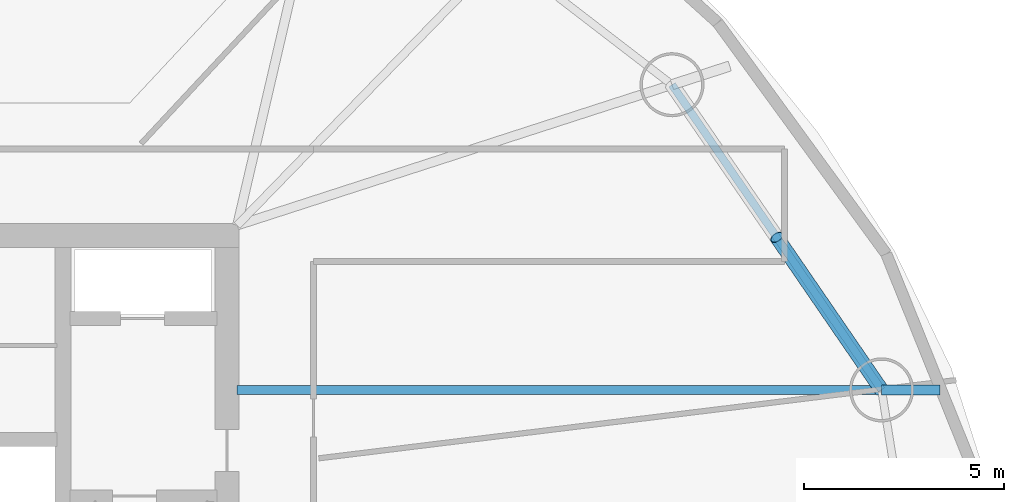
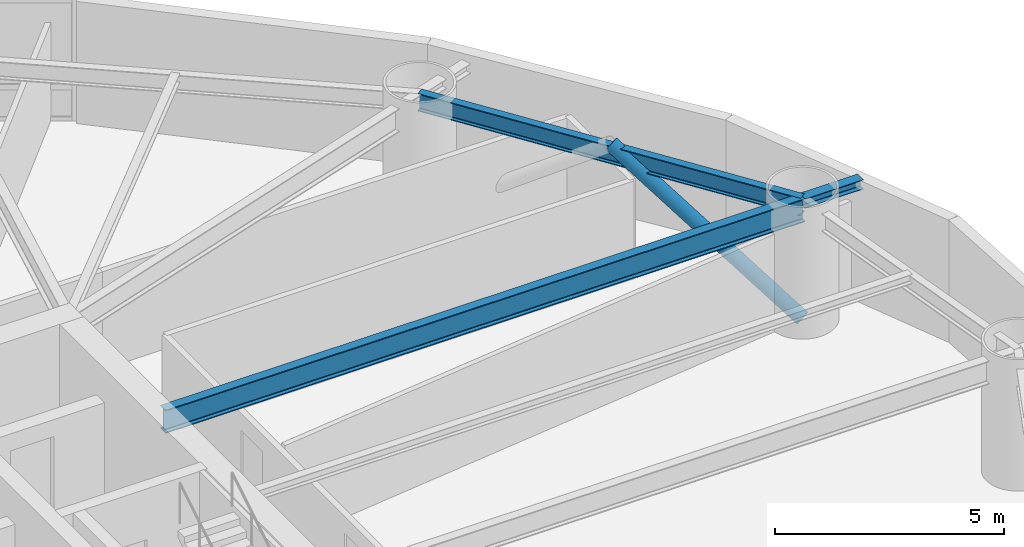
# One storey, part 10 of 23: 3 beams, 1 member.
"""IFC4 building model written with IfcOpenShell, lengths in metres."""

from ifc_helpers import new_model, si_unit, direction, frame, origin, origin_2d, place, context, subcontext, project, spatial, hollow_circle, i_section, extrude, material, material_profile, profile_set, type_object, element, save


model = new_model("IFC4")

# Units and contexts
model_context = context("Model", 3, precision=1e-05, world=origin(), true_north=direction((0.0, 1.0)))
body_context = subcontext(model_context, "Body", "Model", "MODEL_VIEW")
ifc_project = project(units=[si_unit("LENGTHUNIT", "METRE"), si_unit("AREAUNIT", "SQUARE_METRE"), si_unit("VOLUMEUNIT", "CUBIC_METRE"), si_unit("PLANEANGLEUNIT", "RADIAN"), si_unit("MASSUNIT", "GRAM", prefix="KILO")], contexts=[model_context])

# Site, building, storey
site_placement = place(None, origin())
site = spatial("IfcSite", under=ifc_project, at=site_placement, CompositionType="ELEMENT")
building_placement = place(site_placement, origin())
building = spatial("IfcBuilding", under=site, at=building_placement, Name="Bramvorn Convention Spire", CompositionType="ELEMENT")
storey_placement = place(building_placement, frame((0.0, 0.0, 69.39990234375)))
storey = spatial("IfcBuildingStorey", under=building, at=storey_placement, Name="L15", CompositionType="ELEMENT", Elevation=69.39990234375)

# Beams
ifc_material = material(Name="Steel CSA G40.21 Grade 350 (350W)", Category="steel")
ifc_material_profile_1 = material_profile(ifc_material, i_section(OverallWidth=0.25390625, OverallDepth=0.2529296875, WebThickness=0.008544921875, FlangeThickness=0.01416015625, FilletRadius=0.011962890625, at=origin_2d()))
ifc_profile_set_1 = profile_set([ifc_material_profile_1], Name="Steel CSA G40.21 Grade 350 (350W) - W250X73")
beam_type_1 = type_object("IfcBeamType", Name="BM-W250X73", PredefinedType="BEAM", material=ifc_profile_set_1)
beam_1_placement = place(storey_placement, frame((65.338623046875, 29.340087890625, 3.12353515625), z_axis=(1.0, 0.0, 0.0), x_axis=(0.0, 1.0, 0.0)))
element("IfcBeam", 1, at=beam_1_placement, inside=storey, type_object=beam_type_1, Name="L15 slab-edge cantilever tip beam MC02", PredefinedType="BEAM", context=body_context, shape_type="SweptSolid", body=[
    extrude(i_section(OverallWidth=0.25390625, OverallDepth=0.2529296875, WebThickness=0.008544921875, FlangeThickness=0.01416015625, FilletRadius=0.011962890625, at=origin_2d()), origin(), (0.0, 0.0, 1.0), 1.461181640625),
])
ifc_material_profile_2 = material_profile(ifc_material, i_section(OverallWidth=0.194091796875, OverallDepth=0.468994140625, WebThickness=0.0126953125, FlangeThickness=0.0205078125, FilletRadius=0.01806640625, at=origin_2d()))
ifc_profile_set_2 = profile_set([ifc_material_profile_2], Name="Steel CSA G40.21 Grade 350 (350W) - W460X106")
beam_type_2 = type_object("IfcBeamType", Name="BM-W460X106", PredefinedType="SPANDREL", material=ifc_profile_set_2)
beam_2_placement = place(storey_placement, frame((65.338623046875, 29.340087890625, 3.015625), z_axis=(-0.566129730789, 0.824316157743, 0.0), x_axis=(-0.824316157743, -0.566129730789, 0.0)))
element("IfcBeam", 2, at=beam_2_placement, inside=storey, type_object=beam_type_2, Name="L15 mega-column ring beam 02", PredefinedType="SPANDREL", context=body_context, shape_type="SweptSolid", body=[
    extrude(i_section(OverallWidth=0.194091796875, OverallDepth=0.468994140625, WebThickness=0.0126953125, FlangeThickness=0.0205078125, FilletRadius=0.01806640625, at=origin_2d()), origin(), (0.0, 0.0, 1.0), 9.244140625),
])
ifc_material_profile_3 = material_profile(ifc_material, i_section(OverallWidth=0.22998046875, OverallDepth=0.616943359375, WebThickness=0.01318359375, FlangeThickness=0.022216796875, FilletRadius=0.02001953125, at=origin_2d()))
ifc_profile_set_3 = profile_set([ifc_material_profile_3], Name="Steel CSA G40.21 Grade 350 (350W) - W610X140")
beam_type_3 = type_object("IfcBeamType", Name="BM-W610X140", PredefinedType="BEAM", material=ifc_profile_set_3)
beam_3_placement = place(storey_placement, frame((49.25, 29.340087890625, 2.941650390625), z_axis=(1.0, 0.0, 0.0), x_axis=(0.0, 1.0, 0.0)))
element("IfcBeam", 3, at=beam_3_placement, inside=storey, type_object=beam_type_3, Name="L15 radial floor girder MC02", PredefinedType="BEAM", context=body_context, shape_type="SweptSolid", body=[
    extrude(i_section(OverallWidth=0.22998046875, OverallDepth=0.616943359375, WebThickness=0.01318359375, FlangeThickness=0.022216796875, FilletRadius=0.02001953125, at=origin_2d()), origin(), (0.0, 0.0, 1.0), 16.088623046875),
])

# Member
ifc_material_profile_4 = material_profile(ifc_material, hollow_circle(Radius=0.177734375, WallThickness=0.015869140625, at=origin_2d()))
ifc_profile_set_4 = profile_set([ifc_material_profile_4], Name="Steel CSA G40.21 Grade 350 (350W) - CHS356X16")
member_type = type_object("IfcMemberType", Name="MBR-CHS356X16", PredefinedType="BRACE", material=ifc_profile_set_4)
member_placement = place(storey_placement, frame((65.338623046875, 29.340087890625, 0.0), z_axis=(-0.463106048325, 0.674307985647, 0.575188254833), x_axis=(-0.824316157743, -0.566129730789, 0.0)))
element("IfcMember", 4, at=member_placement, inside=storey, type_object=member_type, Name="L15 perimeter Gothic lancet brace 2A", PredefinedType="BRACE", context=body_context, shape_type="SweptSolid", body=[
    extrude(hollow_circle(Radius=0.177734375, WallThickness=0.015869140625, at=origin_2d()), origin(), (0.0, 0.0, 1.0), 5.650390625),
])

save(model, "model.ifc")
